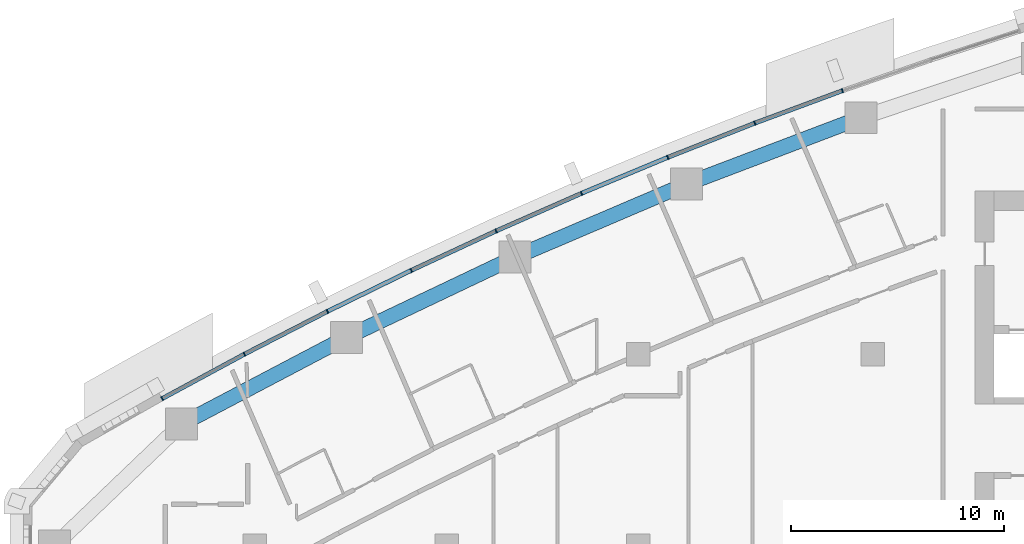
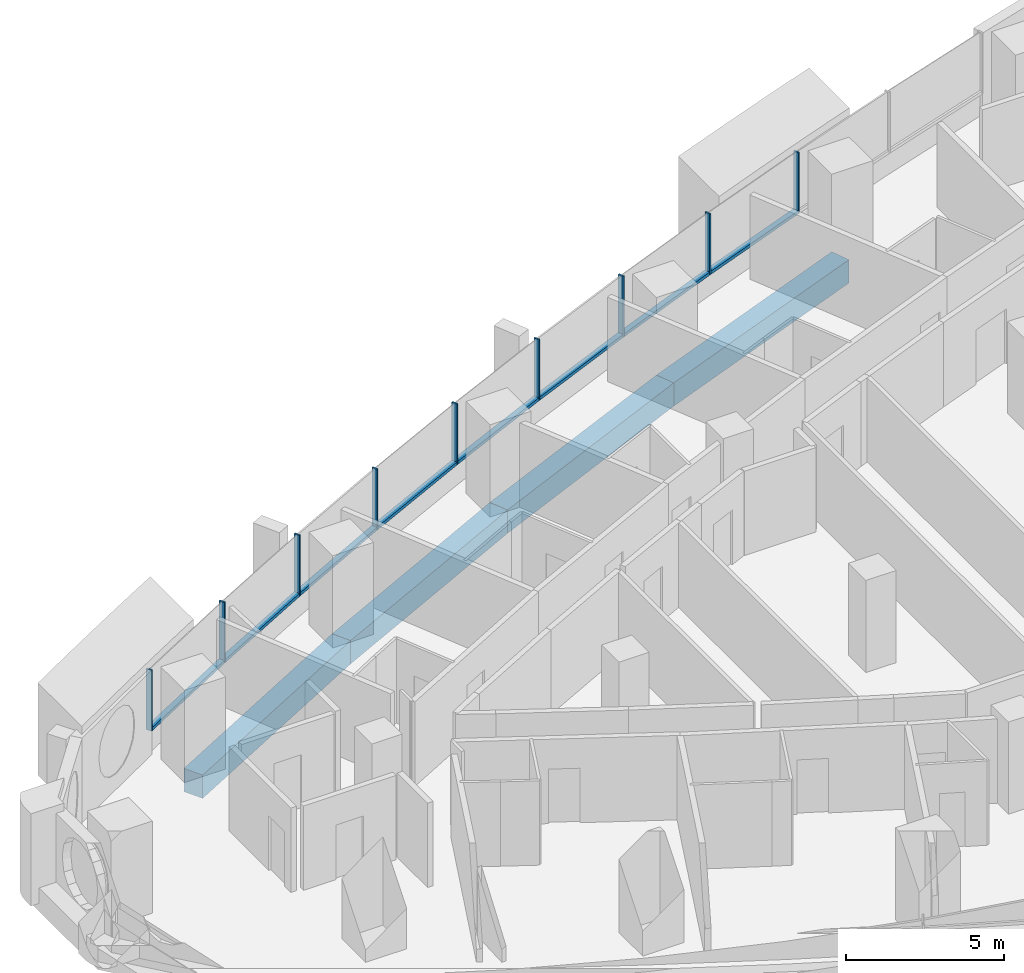
# One storey, part 5 of 17: 17 members, 4 beams, 5 elements without a shape of their own.
"""IFC4 building model written with IfcOpenShell, lengths in metres."""

import ifcopenshell
import ifcopenshell.guid

model = None  # the IFC model being written
_history = None  # IfcOwnerHistory: only IFC2X3 demands one
_inside = {}  # id of a spatial element -> (the spatial element, [elements in it])
_under = {}  # id of a project, library or spatial element -> (it, [spatial elements below it])
_declared = {}  # id of a project -> (the project, [libraries it declares])
_typed = {}  # id of a type object -> (the type object, [elements of that type])
_made_of = {}  # id of a material, layer set ... -> (it, [elements and type objects made of it])


def new_model(schema):
    """Start an empty IFC model of exactly this schema.

    Asked for "IFC4X3", IfcOpenShell would pick the latest addendum, in which some entities
    have other attributes; the version numbers below select the first issue.
    IFC2X3 requires an IfcOwnerHistory on every rooted entity: one is made here for all.
    """
    global model, _history
    if schema == "IFC4X3":
        model = ifcopenshell.file(schema_version=(4, 3, 0, 0))
    else:
        model = ifcopenshell.file(schema=schema)
    _inside.clear()
    _under.clear()
    _declared.clear()
    _typed.clear()
    _made_of.clear()
    _history = None
    if model.schema == "IFC2X3":
        org = make("IfcOrganization", Name="unknown")
        user = make(
            "IfcPersonAndOrganization",
            ThePerson=make("IfcPerson", FamilyName="unknown"),
            TheOrganization=org,
        )
        app = make(
            "IfcApplication",
            ApplicationDeveloper=org,
            Version="unknown",
            ApplicationFullName="unknown",
            ApplicationIdentifier="unknown",
        )
        _history = make(
            "IfcOwnerHistory",
            OwningUser=user,
            OwningApplication=app,
            ChangeAction="ADDED",
            CreationDate=0,
        )
    return model


def make(cls, **values):
    """One entity of the class cls with the attributes given. An attribute that is None is left unset."""
    return model.create_entity(
        cls, **{name: value for name, value in values.items() if value is not None}
    )


def rooted(cls, **values):
    """An entity with a GlobalId (a new one), such as an element, a storey or a relation."""
    return make(cls, GlobalId=ifcopenshell.guid.new(), OwnerHistory=_history, **values)


def si_unit(unit_type, name, prefix=None):
    """IfcSIUnit, for example si_unit("LENGTHUNIT", "METRE", prefix="MILLI")."""
    return make("IfcSIUnit", UnitType=unit_type, Prefix=prefix, Name=name)


def assignment(units):
    """IfcUnitAssignment: the units of a project."""
    return None if units is None else make("IfcUnitAssignment", Units=units)


def point(xyz):
    """IfcCartesianPoint."""
    return None if xyz is None else make("IfcCartesianPoint", Coordinates=xyz)


def direction(xyz):
    """IfcDirection."""
    return None if xyz is None else make("IfcDirection", DirectionRatios=xyz)


def frame(location, z_axis=None, x_axis=None):
    """IfcAxis2Placement3D, a coordinate frame: its origin and axes. An axis left out is left unset."""
    return make(
        "IfcAxis2Placement3D",
        Location=point(location),
        Axis=direction(z_axis),
        RefDirection=direction(x_axis),
    )


def frame_2d(location, x_axis=None):
    """IfcAxis2Placement2D, a coordinate frame in the plane: its origin and x axis."""
    return make(
        "IfcAxis2Placement2D", Location=point(location), RefDirection=direction(x_axis)
    )


def origin():
    """The frame at (0, 0, 0) with its axes left unset."""
    return frame((0.0, 0.0, 0.0))


def origin_2d():
    """The frame at (0, 0) in the plane with its x axis left unset."""
    return frame_2d((0.0, 0.0))


def place(relative_to, where):
    """IfcLocalPlacement: puts the frame where relative to a parent placement (None: the world)."""
    return make(
        "IfcLocalPlacement", PlacementRelTo=relative_to, RelativePlacement=where
    )


def context(
    kind, dimensions, precision=None, world=None, true_north=None, identifier=None
):
    """IfcGeometricRepresentationContext, for example the 3D "Model" context."""
    return make(
        "IfcGeometricRepresentationContext",
        ContextIdentifier=identifier,
        ContextType=kind,
        CoordinateSpaceDimension=dimensions,
        Precision=precision,
        WorldCoordinateSystem=world,
        TrueNorth=true_north,
    )


def subcontext(parent, identifier, kind, view, scale=None):
    """IfcGeometricRepresentationSubContext, for example "Body" below "Model"."""
    return make(
        "IfcGeometricRepresentationSubContext",
        ContextIdentifier=identifier,
        ContextType=kind,
        ParentContext=parent,
        TargetScale=scale,
        TargetView=view,
    )


def project(units=None, contexts=None):
    """IfcProject with its units and contexts."""
    return rooted(
        "IfcProject",
        Name="project",
        RepresentationContexts=contexts,
        UnitsInContext=assignment(units),
    )


def spatial(cls, under=None, at=None, **own):
    """A site, building, storey or space (cls), placed at a placement, below another one or the project."""
    s = rooted(cls, ObjectPlacement=at, **own)
    if under is not None:
        _under.setdefault(under.id(), (under, []))[1].append(s)
    return s


def profile(cls, at=None, kind="AREA", **sizes):
    """A parametric profile (cls). Its sizes go by their IFC names, for example OverallWidth=200.0."""
    return make(cls, ProfileType=kind, Position=at, **sizes)


def rectangle(**sizes):
    """IfcRectangleProfileDef."""
    return profile("IfcRectangleProfileDef", **sizes)


def extrude(swept, where, along, depth):
    """IfcExtrudedAreaSolid: the profile swept, set in the frame where, extruded along a direction by depth."""
    return make(
        "IfcExtrudedAreaSolid",
        SweptArea=swept,
        Position=where,
        ExtrudedDirection=direction(along),
        Depth=depth,
    )


def shape(context_of_items, identifier, shape_type, items):
    """IfcShapeRepresentation: the items that make up one representation, for example the "Body"."""
    return make(
        "IfcShapeRepresentation",
        ContextOfItems=context_of_items,
        RepresentationIdentifier=identifier,
        RepresentationType=shape_type,
        Items=items,
    )


def material(Name=None, Category=None):
    """IfcMaterial."""
    return make("IfcMaterial", Name=Name, Category=Category)


def layer(
    of_material, thickness, ventilated=None, Name=None, Category=None, Priority=None
):
    """IfcMaterialLayer: one layer of a wall or slab, of a material (None: an air gap)."""
    return make(
        "IfcMaterialLayer",
        Material=of_material,
        LayerThickness=thickness,
        IsVentilated=ventilated,
        Name=Name,
        Category=Category,
        Priority=Priority,
    )


def layer_set(layers, Name=None):
    """IfcMaterialLayerSet."""
    return make("IfcMaterialLayerSet", MaterialLayers=layers, LayerSetName=Name)


def material_profile(
    of_material, cross_section, Name=None, Category=None, Priority=None
):
    """IfcMaterialProfile: a cross section and its material."""
    return make(
        "IfcMaterialProfile",
        Name=Name,
        Material=of_material,
        Profile=cross_section,
        Priority=Priority,
        Category=Category,
    )


def profile_set(profiles, Name=None, composite=None):
    """IfcMaterialProfileSet."""
    return make(
        "IfcMaterialProfileSet",
        Name=Name,
        MaterialProfiles=profiles,
        CompositeProfile=composite,
    )


def made_of(thing, what):
    """Note that an element or type object is made of a material, layer set ...; save() writes the relation."""
    if what is not None:
        _made_of.setdefault(what.id(), (what, []))[1].append(thing)
    return thing


def type_object(cls, material=None, **own):
    """A type object (cls), such as IfcWallType, which elements share."""
    return made_of(rooted(cls, **own), material)


def element(
    cls,
    number,
    at=None,
    inside=None,
    cuts=None,
    type_object=None,
    material=None,
    context=None,
    identifier="Body",
    shape_type=None,
    held_by="IfcProductDefinitionShape",
    body=None,
    shapes=None,
    **own,
):
    """One element of the class cls, such as IfcWall. Its Tag is "e" and its number.

    at: its placement. inside: the storey or other place that contains it. cuts: it is an
    opening in that element (IfcRelVoidsElement). A single representation is given by context,
    identifier, shape_type and body (its items); several are given by shapes. held_by: the class
    of the entity that holds the representations. save() writes the other relations.
    """
    e = rooted(cls, Tag="e%d" % number, ObjectPlacement=at, **own)
    if body is not None:
        shapes = [shape(context, identifier, shape_type, body)]
    if shapes is not None:
        e.Representation = make(held_by, Representations=shapes)
    if inside is not None:
        _inside.setdefault(inside.id(), (inside, []))[1].append(e)
    if cuts is not None:
        rooted(
            "IfcRelVoidsElement", RelatingBuildingElement=cuts, RelatedOpeningElement=e
        )
    if type_object is not None:
        _typed.setdefault(type_object.id(), (type_object, []))[1].append(e)
    return made_of(e, material)


def aggregate(whole, parts):
    """IfcRelAggregates: a whole, such as a stair, and the parts it consists of."""
    return rooted("IfcRelAggregates", RelatingObject=whole, RelatedObjects=parts)


def save(model, path):
    """Write the relations noted so far, then the file.

    IfcRelAggregates (storeys below a building ...), IfcRelContainedInSpatialStructure (elements
    in a storey), IfcRelDefinesByType, IfcRelAssociatesMaterial and IfcRelDeclares: one each for
    every whole, place, type object, material and project.
    """
    for whole, parts in _under.values():
        aggregate(whole, parts)
    for where, things in _inside.values():
        rooted(
            "IfcRelContainedInSpatialStructure",
            RelatedElements=things,
            RelatingStructure=where,
        )
    for kind, things in _typed.values():
        rooted("IfcRelDefinesByType", RelatedObjects=things, RelatingType=kind)
    for what, things in _made_of.values():
        rooted("IfcRelAssociatesMaterial", RelatedObjects=things, RelatingMaterial=what)
    for by, libraries in _declared.values():
        rooted("IfcRelDeclares", RelatingContext=by, RelatedDefinitions=libraries)
    model.write(path)


model = new_model("IFC4")

# Units and contexts
model_context = context("Model", 3, precision=1e-05, world=origin(), true_north=direction((0.0, 1.0)))
body_context = subcontext(model_context, "Body", "Model", "MODEL_VIEW")
ifc_project = project(units=[si_unit("LENGTHUNIT", "METRE"), si_unit("AREAUNIT", "SQUARE_METRE"), si_unit("VOLUMEUNIT", "CUBIC_METRE"), si_unit("PLANEANGLEUNIT", "RADIAN"), si_unit("MASSUNIT", "GRAM", prefix="KILO")], contexts=[model_context])

# Site, building, storey
site_placement = place(None, origin())
site = spatial("IfcSite", under=ifc_project, at=site_placement, CompositionType="ELEMENT")
building_placement = place(site_placement, origin())
building = spatial("IfcBuilding", under=site, at=building_placement, Name="Ostrand Prow Hotel Tower", CompositionType="ELEMENT")
storey_placement = place(building_placement, frame((0.0, 0.0, 137.300048828125)))
storey = spatial("IfcBuildingStorey", under=building, at=storey_placement, Name="L33", CompositionType="ELEMENT", Elevation=137.300048828125)

# Beams
ifc_material_1 = material(Name="Concrete C70/85", Category="concrete")
ifc_material_profile_1 = material_profile(ifc_material_1, rectangle(XDim=0.699951171875, YDim=0.89990234375, at=origin_2d()), Name="RC 700x900")
ifc_profile_set_1 = profile_set([ifc_material_profile_1], Name="Concrete C70/85")
beam_type = type_object("IfcBeamType", Name="Edge beam 700x900 C70/85", PredefinedType="SPANDREL", material=ifc_profile_set_1)
for number, where, z_axis, x_axis, name in (
    (1, (44.438232421875, 20.093017578125, -0.75), (-0.93479358236, -0.355191439055, 0.0), (0.355191439055, -0.93479358236, 0.0), "Edge beam N2-N3"),
    (2, (36.255615234375, 16.98388671875, -0.75), (-0.919700966994, -0.392619575811, 0.0), (0.392619575811, -0.919700966994, 0.0), "Edge beam N3-N4"),
    (3, (28.205078125, 13.547119140625, -0.75), (-0.903083113352, -0.429465819803, 0.0), (0.429465819803, -0.903083113352, 0.0), "Edge beam N4-N5"),
    (4, (20.300048828125, 9.787841796875, -0.75), (-0.885016215308, -0.465560198731, 0.0), (0.465560198731, -0.885016215308, 0.0), "Edge beam N5-N6"),
):
    element("IfcBeam", number, at=place(storey_placement, frame(where, z_axis=z_axis, x_axis=x_axis)), inside=storey, type_object=beam_type, Name=name, PredefinedType="SPANDREL", context=body_context, shape_type="SweptSolid", body=[
        extrude(rectangle(XDim=0.699951171875, YDim=0.89990234375, at=origin_2d()), origin(), (0.0, 0.0, 1.0), 8.75341796875),
    ])

# Curtain wall, member
ifc_material_2 = material(Name="Insulated glass in bronze anodised frame", Category="glass")
ifc_layer = layer(ifc_material_2, 0.199951171875)
ifc_layer_set = layer_set([ifc_layer], Name="Insulated glass in bronze anodised frame")
curtain_wall_type = type_object("IfcCurtainWallType", Name="Strip curtain wall, fritted glass over bronze spandrel", PredefinedType="NOTDEFINED", material=ifc_layer_set)
curtain_wall_1_placement = place(storey_placement, origin())
curtain_wall_1 = element("IfcCurtainWall", 5, at=curtain_wall_1_placement, inside=storey, type_object=curtain_wall_type, Name="CW1 run CWN1", PredefinedType="NOTDEFINED")
ifc_material_3 = material(Name="Bronze anodised aluminium", Category="aluminium")
ifc_material_profile_2 = material_profile(ifc_material_3, rectangle(XDim=0.199951171875, YDim=0.06005859375, at=origin_2d()), Name="Mullion 60x200 bronze anodised aluminium")
ifc_profile_set_2 = profile_set([ifc_material_profile_2], Name="Bronze anodised aluminium")
member_type_1 = type_object("IfcMemberType", Name="Mullion 60x200 bronze anodised aluminium", PredefinedType="MULLION", material=ifc_profile_set_2)
member_1_placement = place(storey_placement, frame((43.5751953125, 21.3642578125, 0.89990234375), z_axis=(0.0, 0.0, 1.0), x_axis=(0.328428177424, -0.944528947293, 0.0)))
member_1 = element("IfcMember", 6, at=member_1_placement, type_object=member_type_1, Name="CW1 mullion 3", PredefinedType="MULLION", context=body_context, shape_type="SweptSolid", body=[
    extrude(rectangle(XDim=0.199951171875, YDim=0.06005859375, at=origin_2d()), origin(), (0.0, 0.0, 1.0), 2.35009765625),
])
aggregate(curtain_wall_1, [member_1])

# Curtain wall, members
curtain_wall_2_placement = place(storey_placement, origin())
curtain_wall_2 = element("IfcCurtainWall", 7, at=curtain_wall_2_placement, inside=storey, type_object=curtain_wall_type, Name="CW1 run CWN2", PredefinedType="NOTDEFINED")
member_2_placement = place(storey_placement, frame((39.462158203125, 19.8408203125, 0.89990234375), z_axis=(0.0, 0.0, 1.0), x_axis=(0.366116334636, -0.930569089059, 0.0)))
member_2 = element("IfcMember", 8, at=member_2_placement, type_object=member_type_1, Name="CW1 mullion 2", PredefinedType="MULLION", context=body_context, shape_type="SweptSolid", body=[
    extrude(rectangle(XDim=0.199951171875, YDim=0.06005859375, at=origin_2d()), origin(), (0.0, 0.0, 1.0), 2.35009765625),
])
member_3_placement = place(storey_placement, frame((35.380615234375, 18.235107421875, 0.89990234375), z_axis=(0.0, 0.0, 1.0), x_axis=(0.366116334636, -0.930569089059, 0.0)))
member_3 = element("IfcMember", 9, at=member_3_placement, type_object=member_type_1, Name="CW1 mullion 3", PredefinedType="MULLION", context=body_context, shape_type="SweptSolid", body=[
    extrude(rectangle(XDim=0.199951171875, YDim=0.06005859375, at=origin_2d()), origin(), (0.0, 0.0, 1.0), 2.35009765625),
])

curtain_wall_3_placement = place(storey_placement, origin())
curtain_wall_3 = element("IfcCurtainWall", 10, at=curtain_wall_3_placement, inside=storey, type_object=curtain_wall_type, Name="CW1 run CWN3", PredefinedType="NOTDEFINED")
member_4_placement = place(storey_placement, frame((31.332275390625, 16.54736328125, 0.89990234375), z_axis=(0.0, 0.0, 1.0), x_axis=(0.403213113347, -0.915106105993, 0.0)))
member_4 = element("IfcMember", 11, at=member_4_placement, type_object=member_type_1, Name="CW1 mullion 2", PredefinedType="MULLION", context=body_context, shape_type="SweptSolid", body=[
    extrude(rectangle(XDim=0.199951171875, YDim=0.06005859375, at=origin_2d()), origin(), (0.0, 0.0, 1.0), 2.35009765625),
])
member_5_placement = place(storey_placement, frame((27.318359375, 14.77880859375, 0.89990234375), z_axis=(0.0, 0.0, 1.0), x_axis=(0.403213113347, -0.915106105993, 0.0)))
member_5 = element("IfcMember", 12, at=member_5_placement, type_object=member_type_1, Name="CW1 mullion 3", PredefinedType="MULLION", context=body_context, shape_type="SweptSolid", body=[
    extrude(rectangle(XDim=0.199951171875, YDim=0.06005859375, at=origin_2d()), origin(), (0.0, 0.0, 1.0), 2.35009765625),
])

curtain_wall_4_placement = place(storey_placement, origin())
curtain_wall_4 = element("IfcCurtainWall", 13, at=curtain_wall_4_placement, inside=storey, type_object=curtain_wall_type, Name="CW1 run CWN4", PredefinedType="NOTDEFINED")
member_6_placement = place(storey_placement, frame((23.341064453125, 12.93017578125, 0.89990234375), z_axis=(0.0, 0.0, 1.0), x_axis=(0.439658592061, -0.898164975061, 0.0)))
member_6 = element("IfcMember", 14, at=member_6_placement, type_object=member_type_1, Name="CW1 mullion 2", PredefinedType="MULLION", context=body_context, shape_type="SweptSolid", body=[
    extrude(rectangle(XDim=0.199951171875, YDim=0.06005859375, at=origin_2d()), origin(), (0.0, 0.0, 1.0), 2.35009765625),
])
member_7_placement = place(storey_placement, frame((19.401611328125, 11.001708984375, 0.89990234375), z_axis=(0.0, 0.0, 1.0), x_axis=(0.439658592061, -0.898164975061, 0.0)))
member_7 = element("IfcMember", 15, at=member_7_placement, type_object=member_type_1, Name="CW1 mullion 3", PredefinedType="MULLION", context=body_context, shape_type="SweptSolid", body=[
    extrude(rectangle(XDim=0.199951171875, YDim=0.06005859375, at=origin_2d()), origin(), (0.0, 0.0, 1.0), 2.35009765625),
])

curtain_wall_5_placement = place(storey_placement, origin())
curtain_wall_5 = element("IfcCurtainWall", 16, at=curtain_wall_5_placement, inside=storey, type_object=curtain_wall_type, Name="CW1 run CWN5", PredefinedType="NOTDEFINED")
member_8_placement = place(storey_placement, frame((15.501708984375, 8.99462890625, 0.89990234375), z_axis=(0.0, 0.0, 1.0), x_axis=(0.475393901316, -0.879773060847, 0.0)))
member_8 = element("IfcMember", 17, at=member_8_placement, type_object=member_type_1, Name="CW1 mullion 2", PredefinedType="MULLION", context=body_context, shape_type="SweptSolid", body=[
    extrude(rectangle(XDim=0.199951171875, YDim=0.06005859375, at=origin_2d()), origin(), (0.0, 0.0, 1.0), 2.35009765625),
])
member_9_placement = place(storey_placement, frame((11.64306640625, 6.909423828125, 0.89990234375), z_axis=(0.0, 0.0, 1.0), x_axis=(0.475393901316, -0.879773060847, 0.0)))
member_9 = element("IfcMember", 18, at=member_9_placement, type_object=member_type_1, Name="CW1 mullion 3", PredefinedType="MULLION", context=body_context, shape_type="SweptSolid", body=[
    extrude(rectangle(XDim=0.199951171875, YDim=0.06005859375, at=origin_2d()), origin(), (0.0, 0.0, 1.0), 2.35009765625),
])

# Member
ifc_material_4 = material(Name="Bronze anodised aluminium", Category="aluminium")
ifc_material_profile_3 = material_profile(ifc_material_4, rectangle(XDim=0.199951171875, YDim=0.1201171875, at=origin_2d()), Name="Transom 120x200 bronze anodised aluminium")
ifc_profile_set_3 = profile_set([ifc_material_profile_3], Name="Bronze anodised aluminium")
member_type_2 = type_object("IfcMemberType", Name="Transom 120x200 bronze anodised aluminium", PredefinedType="USERDEFINED", material=ifc_profile_set_3)
member_10_placement = place(storey_placement, frame((43.547119140625, 21.353759765625, 0.9599609375), z_axis=(-0.937756929379, -0.347292299657, 0.0), x_axis=(0.347292299657, -0.937756929379, 0.0)))
member_10 = element("IfcMember", 19, at=member_10_placement, type_object=member_type_2, Name="CW1 transom 1.1", ObjectType="TRANSOM", PredefinedType="USERDEFINED", context=body_context, shape_type="SweptSolid", body=[
    extrude(rectangle(XDim=0.199951171875, YDim=0.1201171875, at=origin_2d()), origin(), (0.0, 0.0, 1.0), 4.326171875),
])

member_11_placement = place(storey_placement, frame((39.434326171875, 19.829833984375, 0.9599609375), z_axis=(-0.930563430162, -0.366130717701, 0.0), x_axis=(0.366130717701, -0.930563430162, 0.0)))
member_11 = element("IfcMember", 20, at=member_11_placement, type_object=member_type_2, Name="CW1 transom 2.1", ObjectType="TRANSOM", PredefinedType="USERDEFINED", context=body_context, shape_type="SweptSolid", body=[
    extrude(rectangle(XDim=0.199951171875, YDim=0.1201171875, at=origin_2d()), origin(), (0.0, 0.0, 1.0), 4.326171875),
])

aggregate(curtain_wall_2, [member_2, member_3, member_10, member_11])

member_12_placement = place(storey_placement, frame((35.352783203125, 18.223388671875, 0.9599609375), z_axis=(-0.923028493412, -0.384731595206, 0.0), x_axis=(0.384731595206, -0.923028493412, 0.0)))
member_12 = element("IfcMember", 21, at=member_12_placement, type_object=member_type_2, Name="CW1 transom 1.1", ObjectType="TRANSOM", PredefinedType="USERDEFINED", context=body_context, shape_type="SweptSolid", body=[
    extrude(rectangle(XDim=0.199951171875, YDim=0.1201171875, at=origin_2d()), origin(), (0.0, 0.0, 1.0), 4.325927734375),
])

member_13_placement = place(storey_placement, frame((31.3046875, 16.535400390625, 0.9599609375), z_axis=(-0.91509853977, -0.403230284715, 0.0), x_axis=(0.403230284715, -0.91509853977, 0.0)))
member_13 = element("IfcMember", 22, at=member_13_placement, type_object=member_type_2, Name="CW1 transom 2.1", ObjectType="TRANSOM", PredefinedType="USERDEFINED", context=body_context, shape_type="SweptSolid", body=[
    extrude(rectangle(XDim=0.199951171875, YDim=0.1201171875, at=origin_2d()), origin(), (0.0, 0.0, 1.0), 4.325927734375),
])

aggregate(curtain_wall_3, [member_4, member_5, member_12, member_13])

member_14_placement = place(storey_placement, frame((27.291259765625, 14.766357421875, 0.9599609375), z_axis=(-0.906796377468, -0.421568890944, 0.0), x_axis=(0.421568890944, -0.906796377468, 0.0)))
member_14 = element("IfcMember", 23, at=member_14_placement, type_object=member_type_2, Name="CW1 transom 1.1", ObjectType="TRANSOM", PredefinedType="USERDEFINED", context=body_context, shape_type="SweptSolid", body=[
    extrude(rectangle(XDim=0.199951171875, YDim=0.1201171875, at=origin_2d()), origin(), (0.0, 0.0, 1.0), 4.326171875),
])

member_15_placement = place(storey_placement, frame((23.314208984375, 12.9169921875, 0.9599609375), z_axis=(-0.89815413626, -0.439680733623, 0.0), x_axis=(0.439680733623, -0.89815413626, 0.0)))
member_15 = element("IfcMember", 24, at=member_15_placement, type_object=member_type_2, Name="CW1 transom 2.1", ObjectType="TRANSOM", PredefinedType="USERDEFINED", context=body_context, shape_type="SweptSolid", body=[
    extrude(rectangle(XDim=0.199951171875, YDim=0.1201171875, at=origin_2d()), origin(), (0.0, 0.0, 1.0), 4.326171875),
])

aggregate(curtain_wall_4, [member_6, member_7, member_14, member_15])

member_16_placement = place(storey_placement, frame((19.375, 10.988037109375, 0.9599609375), z_axis=(-0.88914020052, -0.457634902318, 0.0), x_axis=(0.457634902318, -0.88914020052, 0.0)))
member_16 = element("IfcMember", 25, at=member_16_placement, type_object=member_type_2, Name="CW1 transom 1.1", ObjectType="TRANSOM", PredefinedType="USERDEFINED", context=body_context, shape_type="SweptSolid", body=[
    extrude(rectangle(XDim=0.199951171875, YDim=0.1201171875, at=origin_2d()), origin(), (0.0, 0.0, 1.0), 4.325927734375),
])

member_17_placement = place(storey_placement, frame((15.475341796875, 8.980224609375, 0.9599609375), z_axis=(-0.879765206929, -0.475408435639, 0.0), x_axis=(0.475408435639, -0.879765206929, 0.0)))
member_17 = element("IfcMember", 26, at=member_17_placement, type_object=member_type_2, Name="CW1 transom 2.1", ObjectType="TRANSOM", PredefinedType="USERDEFINED", context=body_context, shape_type="SweptSolid", body=[
    extrude(rectangle(XDim=0.199951171875, YDim=0.1201171875, at=origin_2d()), origin(), (0.0, 0.0, 1.0), 4.326171875),
])

aggregate(curtain_wall_5, [member_8, member_9, member_16, member_17])

save(model, "model.ifc")
